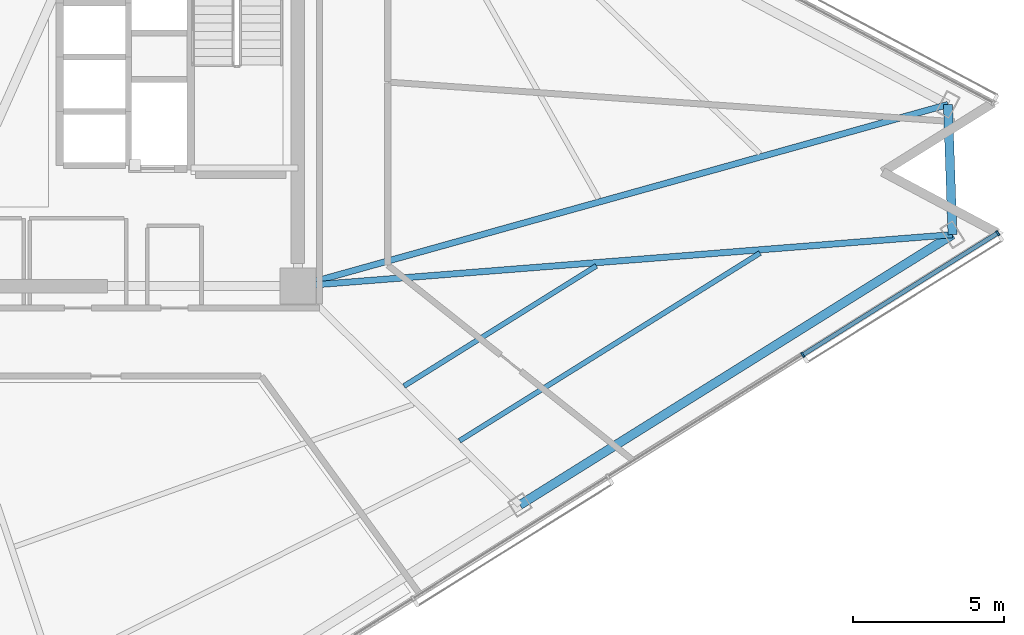
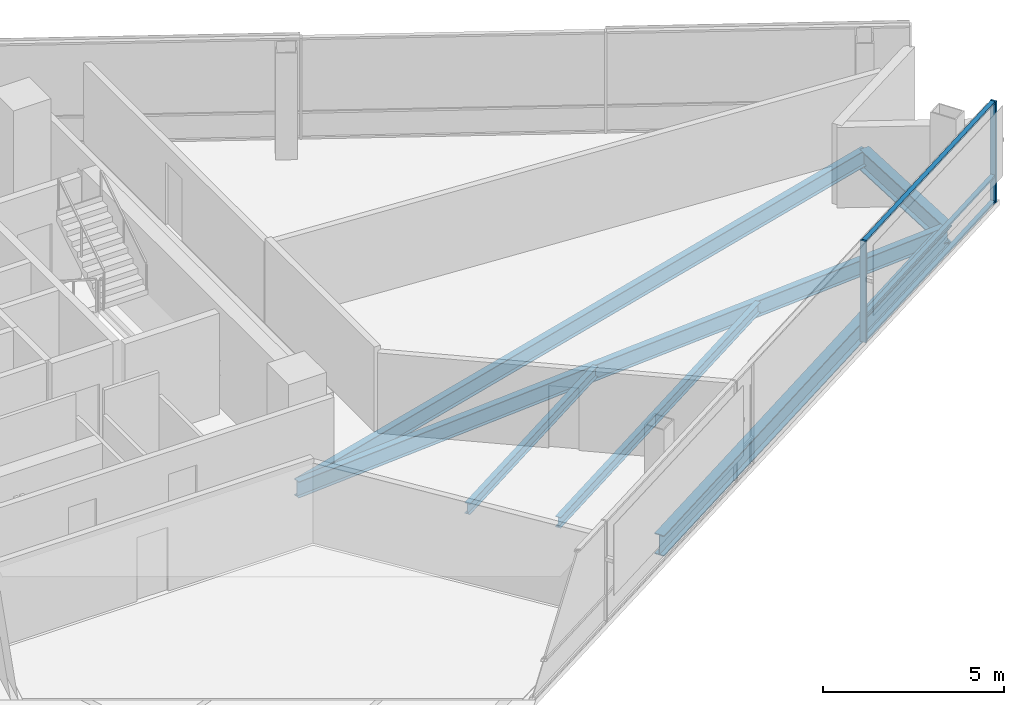
# One storey, part 6 of 21: 6 beams, 5 members, 1 element without a shape of its own.
"""IFC4 building model written with IfcOpenShell, lengths in metres."""

from ifc_helpers import new_model, si_unit, direction, frame, origin, origin_2d, place, context, subcontext, project, spatial, rectangle, i_section, extrude, material, layer, layer_set, material_profile, profile_set, type_object, element, aggregate, save


model = new_model("IFC4")

# Units and contexts
model_context = context("Model", 3, precision=1e-05, world=origin(), true_north=direction((0.0, 1.0)))
body_context = subcontext(model_context, "Body", "Model", "MODEL_VIEW")
ifc_project = project(units=[si_unit("LENGTHUNIT", "METRE"), si_unit("AREAUNIT", "SQUARE_METRE"), si_unit("VOLUMEUNIT", "CUBIC_METRE"), si_unit("PLANEANGLEUNIT", "RADIAN"), si_unit("MASSUNIT", "GRAM", prefix="KILO")], contexts=[model_context])

# Site, building, storey
site_placement = place(None, origin())
site = spatial("IfcSite", under=ifc_project, at=site_placement, CompositionType="ELEMENT")
building_placement = place(site_placement, origin())
building = spatial("IfcBuilding", under=site, at=building_placement, Name="Tharavind Bronze Gate", CompositionType="ELEMENT")
storey_placement = place(building_placement, frame((0.0, 0.0, 142.39990234375)))
storey = spatial("IfcBuildingStorey", under=building, at=storey_placement, Name="L36", CompositionType="ELEMENT", Elevation=142.39990234375)

# Curtain wall, members
ifc_material_1 = material(Name="Anodised Bronze Aluminium", Category="aluminium")
ifc_layer = layer(ifc_material_1, 0.219970703125)
ifc_layer_set = layer_set([ifc_layer], Name="Anodised Bronze Aluminium")
curtain_wall_type = type_object("IfcCurtainWallType", Name="UNITISED CURTAIN WALL MID OFFICE", PredefinedType="USERDEFINED", material=ifc_layer_set)
curtain_wall_placement = place(storey_placement, origin())
curtain_wall = element("IfcCurtainWall", 1, at=curtain_wall_placement, inside=storey, type_object=curtain_wall_type, Name="L36 unitised curtain wall mid office CW-L36-S2", ObjectType="UNITISED CURTAIN WALL", PredefinedType="USERDEFINED")
member_type_1 = type_object("IfcMemberType", Name="CURTAIN WALL BRONZE MULLION 65X180", PredefinedType="MULLION", material=ifc_material_1)
member_1_placement = place(storey_placement, frame((25.649169921875, -9.8798828125, 0.0), z_axis=(0.0, 0.0, 1.0), x_axis=(0.848048096156, 0.529919264233, 0.0)))
member_1 = element("IfcMember", 2, at=member_1_placement, type_object=member_type_1, Name="CW-L36-S2 mullion 7", PredefinedType="MULLION", context=body_context, shape_type="SweptSolid", body=[
    extrude(rectangle(XDim=0.06494140625, YDim=0.179931640625, at=origin_2d()), origin(), (0.0, 0.0, 1.0), 3.409912109375),
])
member_2_placement = place(storey_placement, frame((32.114501953125, -5.83984375, 0.0), z_axis=(0.0, 0.0, 1.0), x_axis=(0.848048096156, 0.529919264233, 0.0)))
member_2 = element("IfcMember", 3, at=member_2_placement, type_object=member_type_1, Name="CW-L36-S2 mullion 8", PredefinedType="MULLION", context=body_context, shape_type="SweptSolid", body=[
    extrude(rectangle(XDim=0.06494140625, YDim=0.179931640625, at=origin_2d()), origin(), (0.0, 0.0, 1.0), 3.409912109375),
])
member_type_2 = type_object("IfcMemberType", Name="CURTAIN WALL BRONZE TRANSOM 65X140", PredefinedType="USERDEFINED", material=ifc_material_1)
member_3_placement = place(storey_placement, frame((28.8818359375, -7.85986328125, 0.000244140625), z_axis=(0.0, 0.0, 1.0), x_axis=(0.848048096156, 0.529919264233, 0.0)))
member_3 = element("IfcMember", 4, at=member_3_placement, type_object=member_type_2, Name="CW-L36-S2 transom TB7", ObjectType="TRANSOM", PredefinedType="USERDEFINED", context=body_context, shape_type="SweptSolid", body=[
    extrude(rectangle(XDim=7.57080078125, YDim=0.139892578125, at=origin_2d()), origin(), (0.0, 0.0, 1.0), 0.06494140625),
])
member_4_placement = place(storey_placement, frame((28.8818359375, -7.85986328125, 0.86767578125), z_axis=(0.0, 0.0, 1.0), x_axis=(0.848048096156, 0.529919264233, 0.0)))
member_4 = element("IfcMember", 5, at=member_4_placement, type_object=member_type_2, Name="CW-L36-S2 transom TS7", ObjectType="TRANSOM", PredefinedType="USERDEFINED", context=body_context, shape_type="SweptSolid", body=[
    extrude(rectangle(XDim=7.57080078125, YDim=0.139892578125, at=origin_2d()), origin(), (0.0, 0.0, 1.0), 0.06494140625),
])
member_5_placement = place(storey_placement, frame((28.8818359375, -7.85986328125, 3.34521484375), z_axis=(0.0, 0.0, 1.0), x_axis=(0.848048096156, 0.529919264233, 0.0)))
member_5 = element("IfcMember", 6, at=member_5_placement, type_object=member_type_2, Name="CW-L36-S2 transom TT7", ObjectType="TRANSOM", PredefinedType="USERDEFINED", context=body_context, shape_type="SweptSolid", body=[
    extrude(rectangle(XDim=7.57080078125, YDim=0.139892578125, at=origin_2d()), origin(), (0.0, 0.0, 1.0), 0.06494140625),
])
aggregate(curtain_wall, [member_1, member_2, member_3, member_4, member_5])

# Beams
ifc_material_2 = material(Name="Steel S355", Category="steel")
ifc_material_profile_1 = material_profile(ifc_material_2, i_section(OverallWidth=0.2099609375, OverallDepth=0.550048828125, WebThickness=0.010986328125, FlangeThickness=0.01708984375, at=origin_2d()), Name="IPE550")
ifc_profile_set_1 = profile_set([ifc_material_profile_1], Name="Steel S355")
beam_type_1 = type_object("IfcBeamType", Name="PRIMARY GIRDER IPE550", PredefinedType="USERDEFINED", material=ifc_profile_set_1)
beam_1_placement = place(storey_placement, frame((30.615478515625, -5.89208984375, -0.46484375), z_axis=(-0.996921085332, -0.07841141256, 0.0), x_axis=(0.07841141256, -0.996921085332, 0.0)))
element("IfcBeam", 7, at=beam_1_placement, inside=storey, type_object=beam_type_1, Name="L36 primary girder ipe550 BM-L36-RAD08", ObjectType="GIRDER", PredefinedType="USERDEFINED", context=body_context, shape_type="SweptSolid", body=[
    extrude(i_section(OverallWidth=0.2099609375, OverallDepth=0.550048828125, WebThickness=0.010986328125, FlangeThickness=0.01708984375, at=origin_2d()), origin(), (0.0, 0.0, 1.0), 21.78271484375),
])
beam_2_placement = place(storey_placement, frame((30.46484375, -1.57470703125, -0.46484375), z_axis=(-0.96311222074, -0.269100074809, 0.0), x_axis=(0.269100074809, -0.96311222074, 0.0)))
element("IfcBeam", 8, at=beam_2_placement, inside=storey, type_object=beam_type_1, Name="L36 primary girder ipe550 BM-L36-RAD09", ObjectType="GIRDER", PredefinedType="USERDEFINED", context=body_context, shape_type="SweptSolid", body=[
    extrude(i_section(OverallWidth=0.2099609375, OverallDepth=0.550048828125, WebThickness=0.010986328125, FlangeThickness=0.01708984375, at=origin_2d()), origin(), (0.0, 0.0, 1.0), 22.390869140625),
])
ifc_material_profile_2 = material_profile(ifc_material_2, i_section(OverallWidth=0.300048828125, OverallDepth=0.699951171875, WebThickness=0.01708984375, FlangeThickness=0.031982421875, at=origin_2d()), Name="HE700B")
ifc_profile_set_2 = profile_set([ifc_material_profile_2], Name="Steel S355")
beam_type_2 = type_object("IfcBeamType", Name="RING GIRDER HE700B", PredefinedType="USERDEFINED", material=ifc_profile_set_2)
beam_3_placement = place(storey_placement, frame((16.263916015625, -14.860107421875, -0.539794921875), z_axis=(0.84804368744, 0.529926319589, 0.0), x_axis=(-0.529926319589, 0.84804368744, 0.0)))
element("IfcBeam", 9, at=beam_3_placement, inside=storey, type_object=beam_type_2, Name="L36 ring girder he700b BM-L36-PRG07", ObjectType="GIRDER", PredefinedType="USERDEFINED", context=body_context, shape_type="SweptSolid", body=[
    extrude(i_section(OverallWidth=0.300048828125, OverallDepth=0.699951171875, WebThickness=0.01708984375, FlangeThickness=0.031982421875, at=origin_2d()), origin(), (0.0, 0.0, 1.0), 16.923095703125),
])
beam_4_placement = place(storey_placement, frame((30.615478515625, -5.89208984375, -0.539794921875), z_axis=(-0.034869079132, 0.999391888761, 0.0), x_axis=(-0.999391888761, -0.034869079132, 0.0)))
element("IfcBeam", 10, at=beam_4_placement, inside=storey, type_object=beam_type_2, Name="L36 ring girder he700b BM-L36-PRG08", ObjectType="GIRDER", PredefinedType="USERDEFINED", context=body_context, shape_type="SweptSolid", body=[
    extrude(i_section(OverallWidth=0.300048828125, OverallDepth=0.699951171875, WebThickness=0.01708984375, FlangeThickness=0.031982421875, at=origin_2d()), origin(), (0.0, 0.0, 1.0), 4.320068359375),
])
ifc_material_profile_3 = material_profile(ifc_material_2, i_section(OverallWidth=0.169921875, OverallDepth=0.360107421875, WebThickness=0.008056640625, FlangeThickness=0.0126953125, at=origin_2d()), Name="IPE360")
ifc_profile_set_3 = profile_set([ifc_material_profile_3], Name="Steel S355")
beam_type_3 = type_object("IfcBeamType", Name="SECONDARY FLOOR JOIST IPE360", PredefinedType="JOIST", material=ifc_profile_set_3)
beam_5_placement = place(storey_placement, frame((12.419189453125, -10.91650390625, -0.369873046875), z_axis=(0.848052974069, 0.529911457862, 0.0), x_axis=(-0.529911457862, 0.848052974069, 0.0)))
element("IfcBeam", 11, at=beam_5_placement, inside=storey, type_object=beam_type_3, Name="L36 secondary floor joist ipe360 BM-L36-JSTA07", PredefinedType="JOIST", context=body_context, shape_type="SweptSolid", body=[
    extrude(i_section(OverallWidth=0.169921875, OverallDepth=0.360107421875, WebThickness=0.008056640625, FlangeThickness=0.0126953125, at=origin_2d()), origin(), (0.0, 0.0, 1.0), 7.52587890625),
])
beam_6_placement = place(storey_placement, frame((14.260009765625, -12.731689453125, -0.369873046875), z_axis=(0.848048464422, 0.529918674884, 0.0), x_axis=(-0.529918674884, 0.848048464422, 0.0)))
element("IfcBeam", 12, at=beam_6_placement, inside=storey, type_object=beam_type_3, Name="L36 secondary floor joist ipe360 BM-L36-JSTB07", PredefinedType="JOIST", context=body_context, shape_type="SweptSolid", body=[
    extrude(i_section(OverallWidth=0.169921875, OverallDepth=0.360107421875, WebThickness=0.008056640625, FlangeThickness=0.0126953125, at=origin_2d()), origin(), (0.0, 0.0, 1.0), 11.7568359375),
])

save(model, "model.ifc")
